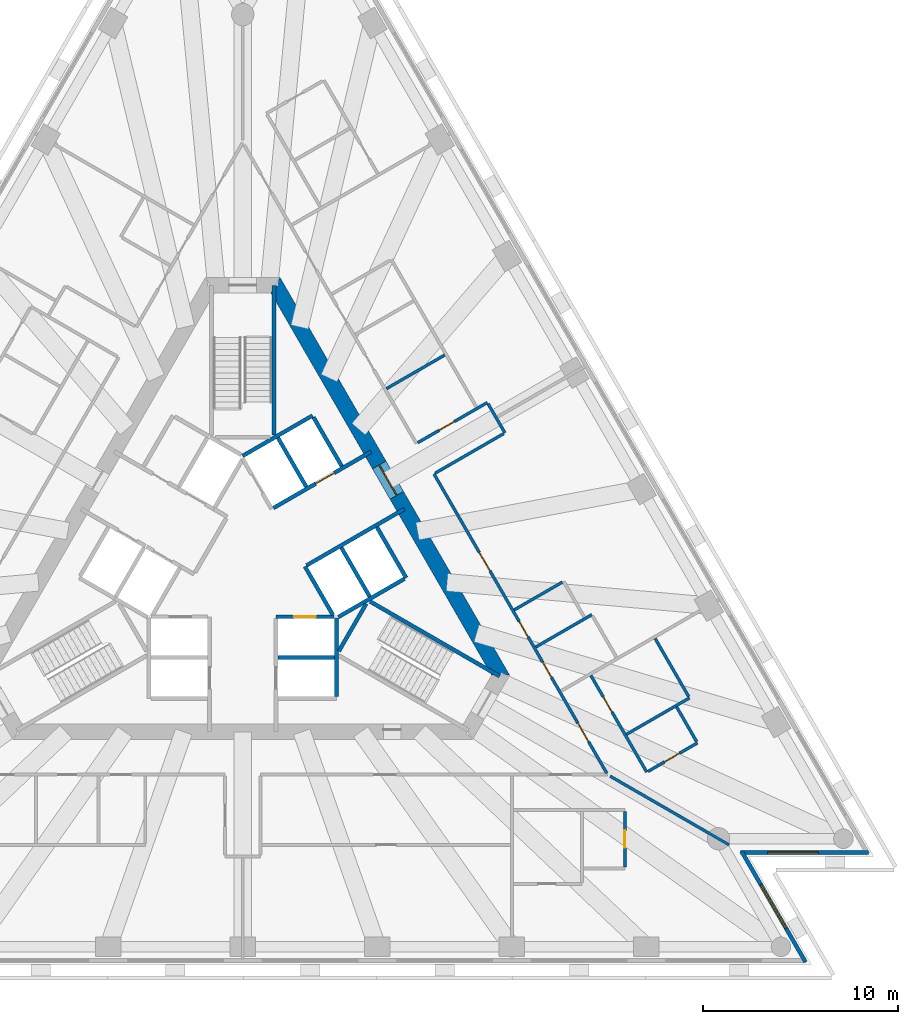
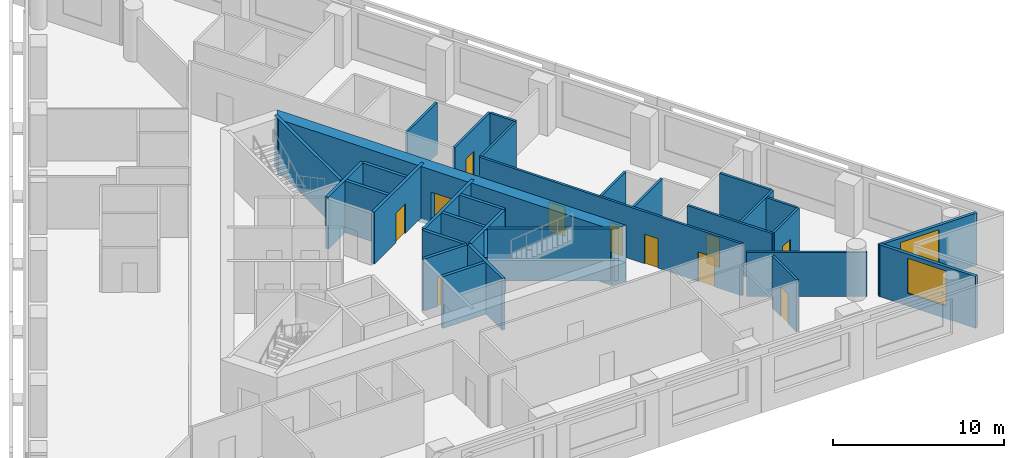
# One storey, part 5 of 10: 32 walls, 11 doors, 2 windows, 13 openings.
"""IFC4 building model written with IfcOpenShell, lengths in metres."""

from ifc_helpers import new_model, si_unit, direction, frame, frame_2d, origin, place, context, subcontext, project, spatial, polyline, rectangle, outline, extrude, material, layer, layer_set, layer_usage, type_object, element, fill, save


model = new_model("IFC4")

# Units and contexts
model_context = context("Model", 3, precision=1e-05, world=origin(), true_north=direction((0.0, 1.0)))
body_context = subcontext(model_context, "Body", "Model", "MODEL_VIEW")
ifc_project = project(units=[si_unit("LENGTHUNIT", "METRE"), si_unit("AREAUNIT", "SQUARE_METRE"), si_unit("VOLUMEUNIT", "CUBIC_METRE"), si_unit("PLANEANGLEUNIT", "RADIAN"), si_unit("MASSUNIT", "GRAM", prefix="KILO")], contexts=[model_context])

# Site, building, storey
site_placement = place(None, origin())
site = spatial("IfcSite", under=ifc_project, at=site_placement, CompositionType="ELEMENT")
building_placement = place(site_placement, origin())
building = spatial("IfcBuilding", under=site, at=building_placement, Name="Triada Interchange Tower", CompositionType="ELEMENT")
storey_placement = place(building_placement, frame((0.0, 0.0, 120.300048828125)))
storey = spatial("IfcBuildingStorey", under=building, at=storey_placement, Name="L27", CompositionType="ELEMENT", Elevation=120.300048828125)

# Wall
ifc_material_1 = material(Name="Concrete C30/37", Category="concrete")
ifc_layer_1 = layer(ifc_material_1, 0.199951171875)
ifc_layer_set_1 = layer_set([ifc_layer_1], Name="CORE WALL 200 EI 120")
wall_type_1 = type_object("IfcWallType", Name="CORE WALL 200 EI 120", PredefinedType="SOLIDWALL", material=ifc_layer_set_1)
wall_1_placement = place(storey_placement, frame((1.800048828125, -4.800048828125, 0.0), z_axis=(0.0, 0.0, 1.0), x_axis=(1.0, 0.0, 0.0)))
element("IfcWall", 1, at=wall_1_placement, inside=storey, type_object=wall_type_1, Name="Wall L26 63", PredefinedType="SOLIDWALL", context=body_context, shape_type="SweptSolid", body=[
    extrude(rectangle(XDim=2.89990234375, YDim=0.199951171875, at=frame_2d((1.449951171875, 0.0))), origin(), (0.0, 0.0, 1.0), 3.699951171875),
])

# Wall, opening, door
wall_2_placement = place(storey_placement, frame((1.702880859375, -2.699951171875, 0.0), z_axis=(0.0, 0.0, 1.0), x_axis=(1.0, 0.0, 0.0)))
wall_2 = element("IfcWall", 2, at=wall_2_placement, inside=storey, type_object=wall_type_1, Name="Wall L26 69", PredefinedType="SOLIDWALL", context=body_context, shape_type="SweptSolid", body=[
    extrude(rectangle(XDim=2.97314453125, YDim=0.199951171875, at=frame_2d((1.486572265625, 0.0))), origin(), (0.0, 0.0, 1.0), 3.699951171875),
])
opening_1_placement = place(wall_2_placement, frame((0.93603515625, 0.0, 0.0)))
opening_1 = element("IfcOpeningElement", 3, at=opening_1_placement, cuts=wall_2, Name="Opening LD-LR1", PredefinedType="OPENING", context=body_context, shape_type="SweptSolid", body=[
    extrude(rectangle(XDim=1.10009765625, YDim=2.10009765625, at=frame_2d((0.550048828125, 1.050048828125))), frame((0.0, 0.10986328125, 0.0), z_axis=(0.0, -1.0, 0.0), x_axis=(1.0, 0.0, 0.0)), (0.0, 0.0, 1.0), 0.219970703125),
])
ifc_material_2 = material(Name="Steel S235 door leaf", Category="steel")
door_type_1 = type_object("IfcDoorType", Name="LIFT LANDING DOOR 1100 EI 120", OperationType="SLIDING_TO_LEFT", PredefinedType="DOOR", material=ifc_material_2)
door_1_placement = place(opening_1_placement, origin())
door_1 = element("IfcDoor", 4, at=door_1_placement, inside=storey, type_object=door_type_1, Name="LR1 landing door L27", OperationType="SLIDING_TO_LEFT", OverallHeight=2.10009765625, OverallWidth=1.10009765625, PredefinedType="DOOR", context=body_context, shape_type="SweptSolid", body=[
    extrude(rectangle(XDim=1.10009765625, YDim=2.10009765625, at=frame_2d((0.550048828125, 1.050048828125))), frame((0.0, 0.02490234375, 0.0), z_axis=(0.0, -1.0, 0.0), x_axis=(1.0, 0.0, 0.0)), (0.0, 0.0, 1.0), 0.050048828125),
])
fill(opening_1, door_1)

# Walls
wall_3_placement = place(storey_placement, frame((-0.001953125, 5.541015625, 0.0), z_axis=(0.0, 0.0, 1.0), x_axis=(0.86600155993, 0.500041296494, 0.0)))
element("IfcWall", 5, at=wall_3_placement, inside=storey, type_object=wall_type_1, Name="Wall L26 70", PredefinedType="SOLIDWALL", context=body_context, shape_type="SweptSolid", body=[
    extrude(rectangle(XDim=4.131591796875, YDim=0.199951171875, at=frame_2d((2.06591796875, 0.0))), origin(), (0.0, 0.0, 1.0), 3.699951171875),
])
wall_4_placement = place(storey_placement, frame((3.18994140625, -0.125, 0.0), z_axis=(0.0, 0.0, 1.0), x_axis=(0.499988658015, -0.866031951983, 0.0)))
element("IfcWall", 6, at=wall_4_placement, inside=storey, type_object=wall_type_1, Name="Wall L26 72", PredefinedType="SOLIDWALL", context=body_context, shape_type="SweptSolid", body=[
    extrude(rectangle(XDim=2.85791015625, YDim=0.199951171875, at=frame_2d((1.428955078125, 0.0))), origin(), (0.0, 0.0, 1.0), 3.699951171875),
])

# Wall, opening, door
wall_5_placement = place(storey_placement, frame((1.576904296875, 2.8740234375, 0.0), z_axis=(0.0, 0.0, 1.0), x_axis=(0.866073694534, 0.499916348638, 0.0)))
wall_5 = element("IfcWall", 7, at=wall_5_placement, inside=storey, type_object=wall_type_1, Name="Wall L26 73", PredefinedType="SOLIDWALL", context=body_context, shape_type="SweptSolid", body=[
    extrude(rectangle(XDim=5.77685546875, YDim=0.199951171875, at=frame_2d((2.888427734375, 0.0))), origin(), (0.0, 0.0, 1.0), 3.699951171875),
])
opening_2_placement = place(wall_5_placement, frame((2.4970703125, 0.0, 0.0)))
opening_2 = element("IfcOpeningElement", 8, at=opening_2_placement, cuts=wall_5, Name="Opening LD-LR6", PredefinedType="OPENING", context=body_context, shape_type="SweptSolid", body=[
    extrude(rectangle(XDim=1.10009765625, YDim=2.10009765625, at=frame_2d((0.550048828125, 1.050048828125))), frame((0.0, 0.10986328125, 0.0), z_axis=(0.0, -1.0, 0.0), x_axis=(1.0, 0.0, 0.0)), (0.0, 0.0, 1.0), 0.219970703125),
])
door_2_placement = place(opening_2_placement, origin())
door_2 = element("IfcDoor", 9, at=door_2_placement, inside=storey, type_object=door_type_1, Name="LR6 landing door L27", OperationType="SLIDING_TO_LEFT", OverallHeight=2.10009765625, OverallWidth=1.10009765625, PredefinedType="DOOR", context=body_context, shape_type="SweptSolid", body=[
    extrude(rectangle(XDim=1.10009765625, YDim=2.10009765625, at=frame_2d((0.550048828125, 1.050048828125))), frame((0.0, 0.02490234375, 0.0), z_axis=(0.0, -1.0, 0.0), x_axis=(1.0, 0.0, 0.0)), (0.0, 0.0, 1.0), 0.050048828125),
])
fill(opening_2, door_2)

# Walls
wall_6_placement = place(storey_placement, frame((4.800048828125, -6.800048828125, 0.0), z_axis=(0.0, 0.0, 1.0), x_axis=(0.0, 1.0, 0.0)))
element("IfcWall", 10, at=wall_6_placement, inside=storey, type_object=wall_type_1, Name="Wall L26 75", PredefinedType="SOLIDWALL", context=body_context, shape_type="SweptSolid", body=[
    extrude(rectangle(XDim=4.029052734375, YDim=0.199951171875, at=frame_2d((2.0146484375, 0.0))), origin(), (0.0, 0.0, 1.0), 3.699951171875),
])
wall_7_placement = place(storey_placement, frame((3.278076171875, -0.071044921875, 0.0), z_axis=(0.0, 0.0, 1.0), x_axis=(0.865929348003, 0.5001663366, 0.0)))
element("IfcWall", 11, at=wall_7_placement, inside=storey, type_object=wall_type_1, Name="Wall L26 76", PredefinedType="SOLIDWALL", context=body_context, shape_type="SweptSolid", body=[
    extrude(rectangle(XDim=5.7763671875, YDim=0.199951171875, at=frame_2d((2.88818359375, 0.0))), origin(), (0.0, 0.0, 1.0), 3.699951171875),
])
wall_8_placement = place(storey_placement, frame((3.6259765625, 7.52001953125, 0.0), z_axis=(0.0, 0.0, 1.0), x_axis=(0.500060147554, -0.865990674793, 0.0)))
element("IfcWall", 12, at=wall_8_placement, inside=storey, type_object=wall_type_1, Name="Wall L26 77", PredefinedType="SOLIDWALL", context=body_context, shape_type="SweptSolid", body=[
    extrude(rectangle(XDim=2.899658203125, YDim=0.199951171875, at=frame_2d((1.44970703125, 0.0))), origin(), (0.0, 0.0, 1.0), 3.699951171875),
])
wall_9_placement = place(storey_placement, frame((6.8759765625, 1.89111328125, 0.0), z_axis=(0.0, 0.0, 1.0), x_axis=(0.499990139034, -0.866031096941, 0.0)))
element("IfcWall", 13, at=wall_9_placement, inside=storey, type_object=wall_type_1, Name="Wall L26 78", PredefinedType="SOLIDWALL", context=body_context, shape_type="SweptSolid", body=[
    extrude(rectangle(XDim=3.0, YDim=0.199951171875, at=frame_2d((1.5, 0.0))), origin(), (0.0, 0.0, 1.0), 3.699951171875),
])
for number, where, z_axis, x_axis, name in (
    (14, (1.806884765625, 6.469970703125, 0.0), (0.0, 0.0, 1.0), (0.50012328804, -0.865954211699, 0.0), "Wall L26 79"),
    (15, (5.056884765625, 0.841064453125, 0.0), (0.0, 0.0, 1.0), (0.50012328804, -0.865954211699, 0.0), "Wall L26 80"),
):
    element("IfcWall", number, at=place(storey_placement, frame(where, z_axis=z_axis, x_axis=x_axis)), inside=storey, type_object=wall_type_1, Name=name, PredefinedType="SOLIDWALL", context=body_context, shape_type="SweptSolid", body=[
        extrude(rectangle(XDim=2.899658203125, YDim=0.199951171875, at=frame_2d((1.44970703125, 0.0))), origin(), (0.0, 0.0, 1.0), 3.699951171875),
    ])
wall_10_placement = place(storey_placement, frame((4.89990234375, -2.714111328125, 0.0), z_axis=(0.0, 0.0, 1.0), x_axis=(0.865992350556, 0.500057245502, 0.0)))
element("IfcWall", 16, at=wall_10_placement, inside=storey, type_object=wall_type_1, Name="Wall L26 81", PredefinedType="SOLIDWALL", context=body_context, shape_type="SweptSolid", body=[
    extrude(rectangle(XDim=3.91357421875, YDim=0.199951171875, at=frame_2d((1.956787109375, 0.0))), origin(), (0.0, 0.0, 1.0), 3.699951171875),
])
ifc_layer_2 = layer(ifc_material_1, 0.199951171875)
ifc_layer_set_2 = layer_set([ifc_layer_2], Name="CORE WALL 200 REI 240")
wall_type_2 = type_object("IfcWallType", Name="CORE WALL 200 REI 240", PredefinedType="SOLIDWALL", material=ifc_layer_set_2)
wall_11_placement = place(storey_placement, frame((1.60009765625, 6.614990234375, 0.0), z_axis=(0.0, 0.0, 1.0), x_axis=(0.0, 1.0, 0.0)))
element("IfcWall", 17, at=wall_11_placement, inside=storey, type_object=wall_type_2, Name="Wall L26 100", PredefinedType="SOLIDWALL", context=body_context, shape_type="SweptSolid", body=[
    extrude(rectangle(XDim=7.6650390625, YDim=0.199951171875, at=frame_2d((3.83251953125, 0.0))), origin(), (0.0, 0.0, 1.0), 3.699951171875),
])
wall_12_placement = place(storey_placement, frame((4.928955078125, -4.4619140625, 0.0), z_axis=(0.0, 0.0, 1.0), x_axis=(0.500200581029, 0.865909567298, 0.0)))
element("IfcWall", 18, at=wall_12_placement, inside=storey, type_object=wall_type_2, Name="Wall L26 104", PredefinedType="SOLIDWALL", context=body_context, shape_type="SweptSolid", body=[
    extrude(rectangle(XDim=2.799072265625, YDim=0.199951171875, at=frame_2d((1.3994140625, 0.0))), origin(), (0.0, 0.0, 1.0), 3.699951171875),
])
wall_13_placement = place(storey_placement, frame((6.529052734375, -1.922119140625, 0.0), z_axis=(0.0, 0.0, 1.0), x_axis=(0.866060938598, -0.499938446846, 0.0)))
element("IfcWall", 19, at=wall_13_placement, inside=storey, type_object=wall_type_2, Name="Wall L26 105", PredefinedType="SOLIDWALL", context=body_context, shape_type="SweptSolid", body=[
    extrude(rectangle(XDim=7.66455078125, YDim=0.199951171875, at=frame_2d((3.832275390625, 0.0))), origin(), (0.0, 0.0, 1.0), 3.699951171875),
])

# Wall, opening, door
ifc_material_3 = material(Name="Concrete C60/75", Category="concrete")
ifc_layer_3 = layer(ifc_material_3, 0.800048828125)
ifc_layer_set_3 = layer_set([ifc_layer_3], Name="Core wall B 800")
wall_type_3 = type_object("IfcWallType", Name="Core wall B 800", PredefinedType="SHEAR", material=ifc_layer_set_3)
wall_14_placement = place(storey_placement, frame((13.220947265625, -5.699951171875, -0.300048828125), z_axis=(0.0, 0.0, 1.0), x_axis=(-0.499995765644, 0.866027848477, 0.0)))
wall_14 = element("IfcWall", 20, at=wall_14_placement, inside=storey, type_object=wall_type_3, Name="Core wall WB06 L27", PredefinedType="SHEAR", context=body_context, shape_type="SweptSolid", body=[
    extrude(outline(polyline([(-0.23095703125, -0.39990234375), (1.73193359375, -0.39990234375), (3.695068359375, -0.39990234375), (5.657958984375, -0.39990234375), (7.62109375, -0.39990234375), (9.583984375, -0.39990234375), (11.546875, -0.39990234375), (13.510009765625, -0.39990234375), (15.472900390625, -0.39990234375), (17.43603515625, -0.39990234375), (19.39892578125, -0.39990234375), (21.362060546875, -0.39990234375), (23.324951171875, -0.39990234375), (22.863037109375, 0.39990234375), (20.97705078125, 0.39990234375), (19.091064453125, 0.39990234375), (17.205078125, 0.39990234375), (15.319091796875, 0.39990234375), (13.43310546875, 0.39990234375), (11.546875, 0.39990234375), (9.660888671875, 0.39990234375), (7.77490234375, 0.39990234375), (5.888916015625, 0.39990234375), (4.0029296875, 0.39990234375), (2.116943359375, 0.39990234375), (0.23095703125, 0.39990234375), (-0.23095703125, -0.39990234375)])), origin(), (0.0, 0.0, 1.0), 4.0),
])
opening_3_placement = place(wall_14_placement, frame((10.64697265625, 0.0, 0.300048828125)))
opening_3 = element("IfcOpeningElement", 21, at=opening_3_placement, cuts=wall_14, Name="Opening D26-40", PredefinedType="OPENING", context=body_context, shape_type="SweptSolid", body=[
    extrude(rectangle(XDim=1.800048828125, YDim=2.10009765625, at=frame_2d((0.89990234375, 1.050048828125))), frame((0.0, 0.409912109375, 0.0), z_axis=(0.0, -1.0, 0.0), x_axis=(1.0, 0.0, 0.0)), (0.0, 0.0, 1.0), 0.820068359375),
])
door_type_2 = type_object("IfcDoorType", Name="LOBBY DOOR 1800 EI2 90-C5S200", OperationType="DOUBLE_DOOR_SINGLE_SWING", PredefinedType="DOOR", material=ifc_material_2)
door_3_placement = place(opening_3_placement, origin())
door_3 = element("IfcDoor", 22, at=door_3_placement, inside=storey, type_object=door_type_2, Name="Door D26-40 L27", OperationType="DOUBLE_DOOR_SINGLE_SWING", OverallHeight=2.10009765625, OverallWidth=1.800048828125, PredefinedType="DOOR", context=body_context, shape_type="SweptSolid", body=[
    extrude(rectangle(XDim=1.800048828125, YDim=2.10009765625, at=frame_2d((0.89990234375, 1.050048828125))), frame((0.0, 0.02490234375, 0.0), z_axis=(0.0, -1.0, 0.0), x_axis=(1.0, 0.0, 0.0)), (0.0, 0.0, 1.0), 0.050048828125),
])
fill(opening_3, door_3)

# Wall, opening, window
ifc_material_4 = material(Name="Cement board")
ifc_layer_4 = layer(ifc_material_4, 0.02001953125, Name="Cement board cladding")
ifc_material_5 = material(Name="Sheathing board")
ifc_layer_5 = layer(ifc_material_5, 0.014892578125, Name="Sheathing board")
ifc_material_6 = material(Name="Mineral wool")
ifc_layer_6 = layer(ifc_material_6, 0.14990234375, Name="Mineral wool between steel studs")
ifc_material_7 = material(Name="Gypsum board")
ifc_layer_7 = layer(ifc_material_7, 0.014892578125, Name="Plasterboard lining")
ifc_layer_set_4 = layer_set([ifc_layer_4, ifc_layer_5, ifc_layer_6, ifc_layer_7], Name="External wall 200")
ifc_layer_usage = layer_usage(ifc_layer_set_4, "AXIS2", "POSITIVE", -0.10009765625)
wall_type_4 = type_object("IfcWallType", Name="External wall 200", PredefinedType="ELEMENTEDWALL", material=ifc_layer_set_4)
wall_15_placement = place(storey_placement, frame((28.84912109375, -20.402099609375, 0.0), z_axis=(0.0, 0.0, 1.0), x_axis=(-0.500066121085, 0.865987225393, 0.0)))
wall_15 = element("IfcWall", 23, at=wall_15_placement, inside=storey, type_object=wall_type_4, material=ifc_layer_usage, Name="External wall L27 SE-1", PredefinedType="ELEMENTEDWALL", context=body_context, shape_type="SweptSolid", body=[
    extrude(rectangle(XDim=6.55908203125, YDim=0.199951171875, at=frame_2d((3.279541015625, 0.0))), origin(), (0.0, 0.0, 1.0), 3.699951171875),
])
opening_4_placement = place(wall_15_placement, frame((1.989990234375, 0.0, 0.89990234375)))
opening_4 = element("IfcOpeningElement", 24, at=opening_4_placement, cuts=wall_15, Name="Opening WB19", PredefinedType="OPENING", context=body_context, shape_type="SweptSolid", body=[
    extrude(rectangle(XDim=2.60009765625, YDim=2.5, at=frame_2d((1.300048828125, 1.25))), frame((0.0, 0.10986328125, 0.0), z_axis=(0.0, -1.0, 0.0), x_axis=(1.0, 0.0, 0.0)), (0.0, 0.0, 1.0), 0.219970703125),
])
ifc_material_8 = material(Name="Double glazed aluminium window", Category="aluminium")
window_type = type_object("IfcWindowType", Name="Ribbon window B pocket", PartitioningType="SINGLE_PANEL", PredefinedType="WINDOW", material=ifc_material_8)
window_1_placement = place(opening_4_placement, origin())
window_1 = element("IfcWindow", 25, at=window_1_placement, inside=storey, type_object=window_type, Name="Window L27 SE-1 1", OverallHeight=2.5, OverallWidth=2.60009765625, PartitioningType="SINGLE_PANEL", PredefinedType="WINDOW", context=body_context, shape_type="SweptSolid", body=[
    extrude(rectangle(XDim=2.60009765625, YDim=2.5, at=frame_2d((1.300048828125, 1.25))), frame((0.0, 0.030029296875, 0.0), z_axis=(0.0, -1.0, 0.0), x_axis=(1.0, 0.0, 0.0)), (0.0, 0.0, 1.0), 0.06005859375),
])
fill(opening_4, window_1)

wall_16_placement = place(storey_placement, frame((25.513916015625, -14.782958984375, 0.0), z_axis=(0.0, 0.0, 1.0), x_axis=(1.0, 0.0, 0.0)))
wall_16 = element("IfcWall", 26, at=wall_16_placement, inside=storey, type_object=wall_type_4, material=ifc_layer_usage, Name="External wall L27 SE-2", PredefinedType="ELEMENTEDWALL", context=body_context, shape_type="SweptSolid", body=[
    extrude(rectangle(XDim=6.55908203125, YDim=0.199951171875, at=frame_2d((3.279541015625, 0.0))), origin(), (0.0, 0.0, 1.0), 3.699951171875),
])
opening_5_placement = place(wall_16_placement, frame((1.389892578125, 0.0, 0.89990234375)))
opening_5 = element("IfcOpeningElement", 27, at=opening_5_placement, cuts=wall_16, Name="Opening WB20", PredefinedType="OPENING", context=body_context, shape_type="SweptSolid", body=[
    extrude(rectangle(XDim=2.60009765625, YDim=2.5, at=frame_2d((1.300048828125, 1.25))), frame((0.0, 0.10986328125, 0.0), z_axis=(0.0, -1.0, 0.0), x_axis=(1.0, 0.0, 0.0)), (0.0, 0.0, 1.0), 0.219970703125),
])
window_2_placement = place(opening_5_placement, origin())
window_2 = element("IfcWindow", 28, at=window_2_placement, inside=storey, type_object=window_type, Name="Window L27 SE-2 1", OverallHeight=2.5, OverallWidth=2.60009765625, PartitioningType="SINGLE_PANEL", PredefinedType="WINDOW", context=body_context, shape_type="SweptSolid", body=[
    extrude(rectangle(XDim=2.60009765625, YDim=2.5, at=frame_2d((1.300048828125, 1.25))), frame((0.0, 0.030029296875, 0.0), z_axis=(0.0, -1.0, 0.0), x_axis=(1.0, 0.0, 0.0)), (0.0, 0.0, 1.0), 0.06005859375),
])
fill(opening_5, window_2)

# Wall, openings, doors
ifc_material_9 = material(Name="Gypsum board partition")
ifc_layer_8 = layer(ifc_material_9, 0.14990234375)
ifc_layer_set_5 = layer_set([ifc_layer_8], Name="PARTITION 150 EI 180")
wall_type_5 = type_object("IfcWallType", Name="PARTITION 150 EI 180", PredefinedType="PARTITIONING", material=ifc_layer_set_5)
wall_17_placement = place(storey_placement, frame((9.802978515625, 4.6201171875, 0.0), z_axis=(0.0, 0.0, 1.0), x_axis=(0.500023004316, -0.866012121829, 0.0)))
wall_17 = element("IfcWall", 29, at=wall_17_placement, inside=storey, type_object=wall_type_5, Name="Wall L26 25", PredefinedType="PARTITIONING", context=body_context, shape_type="SweptSolid", body=[
    extrude(rectangle(XDim=17.719482421875, YDim=0.14990234375, at=frame_2d((8.85986328125, 0.0))), origin(), (0.0, 0.0, 1.0), 3.699951171875),
])
opening_6_placement = place(wall_17_placement, frame((14.756103515625, 0.0, 0.0)))
opening_6 = element("IfcOpeningElement", 30, at=opening_6_placement, cuts=wall_17, Name="Opening D26-21", PredefinedType="OPENING", context=body_context, shape_type="SweptSolid", body=[
    extrude(rectangle(XDim=1.10009765625, YDim=2.10009765625, at=frame_2d((0.550048828125, 1.050048828125))), frame((0.0, 0.0849609375, 0.0), z_axis=(0.0, -1.0, 0.0), x_axis=(1.0, 0.0, 0.0)), (0.0, 0.0, 1.0), 0.169921875),
])
opening_7_placement = place(wall_17_placement, frame((4.64501953125, 0.0, 0.0)))
opening_7 = element("IfcOpeningElement", 31, at=opening_7_placement, cuts=wall_17, Name="Opening D26-24", PredefinedType="OPENING", context=body_context, shape_type="SweptSolid", body=[
    extrude(rectangle(XDim=1.10009765625, YDim=2.10009765625, at=frame_2d((0.550048828125, 1.050048828125))), frame((0.0, 0.0849609375, 0.0), z_axis=(0.0, -1.0, 0.0), x_axis=(1.0, 0.0, 0.0)), (0.0, 0.0, 1.0), 0.169921875),
])
opening_8_placement = place(wall_17_placement, frame((11.14501953125, 0.0, 0.0)))
opening_8 = element("IfcOpeningElement", 32, at=opening_8_placement, cuts=wall_17, Name="Opening D26-25", PredefinedType="OPENING", context=body_context, shape_type="SweptSolid", body=[
    extrude(rectangle(XDim=0.89990234375, YDim=2.10009765625, at=frame_2d((0.449951171875, 1.050048828125))), frame((0.0, 0.0849609375, 0.0), z_axis=(0.0, -1.0, 0.0), x_axis=(1.0, 0.0, 0.0)), (0.0, 0.0, 1.0), 0.169921875),
])
opening_9_placement = place(wall_17_placement, frame((8.7451171875, 0.0, 0.0)))
opening_9 = element("IfcOpeningElement", 33, at=opening_9_placement, cuts=wall_17, Name="Opening D26-26", PredefinedType="OPENING", context=body_context, shape_type="SweptSolid", body=[
    extrude(rectangle(XDim=0.89990234375, YDim=2.10009765625, at=frame_2d((0.449951171875, 1.050048828125))), frame((0.0, 0.0849609375, 0.0), z_axis=(0.0, -1.0, 0.0), x_axis=(1.0, 0.0, 0.0)), (0.0, 0.0, 1.0), 0.169921875),
])
door_type_3 = type_object("IfcDoorType", Name="ROOM DOOR 900 EI2 90-C5S200", OperationType="NOTDEFINED", PredefinedType="DOOR", material=ifc_material_2)
door_4_placement = place(opening_8_placement, origin())
door_4 = element("IfcDoor", 34, at=door_4_placement, inside=storey, type_object=door_type_3, Name="Door D26-25 L27", OperationType="SINGLE_SWING_LEFT", OverallHeight=2.10009765625, OverallWidth=0.89990234375, PredefinedType="DOOR", context=body_context, shape_type="SweptSolid", body=[
    extrude(rectangle(XDim=0.89990234375, YDim=2.10009765625, at=frame_2d((0.449951171875, 1.050048828125))), frame((0.0, 0.02490234375, 0.0), z_axis=(0.0, -1.0, 0.0), x_axis=(1.0, 0.0, 0.0)), (0.0, 0.0, 1.0), 0.050048828125),
])
fill(opening_8, door_4)
door_type_4 = type_object("IfcDoorType", Name="SERVICE DOOR 900 EI2 90-C5S200", OperationType="NOTDEFINED", PredefinedType="DOOR", material=ifc_material_2)
door_5_placement = place(opening_9_placement, origin())
door_5 = element("IfcDoor", 35, at=door_5_placement, inside=storey, type_object=door_type_4, Name="Door D26-26 L27", OperationType="SINGLE_SWING_LEFT", OverallHeight=2.10009765625, OverallWidth=0.89990234375, PredefinedType="DOOR", context=body_context, shape_type="SweptSolid", body=[
    extrude(rectangle(XDim=0.89990234375, YDim=2.10009765625, at=frame_2d((0.449951171875, 1.050048828125))), frame((0.0, 0.02490234375, 0.0), z_axis=(0.0, -1.0, 0.0), x_axis=(1.0, 0.0, 0.0)), (0.0, 0.0, 1.0), 0.050048828125),
])
fill(opening_9, door_5)
door_type_5 = type_object("IfcDoorType", Name="TENANCY ENTRANCE DOOR 1100 EI2 90-C5S200", OperationType="NOTDEFINED", PredefinedType="DOOR", material=ifc_material_2)
door_6_placement = place(opening_6_placement, origin())
door_6 = element("IfcDoor", 36, at=door_6_placement, inside=storey, type_object=door_type_5, Name="Door D26-21 L27", OperationType="SINGLE_SWING_RIGHT", OverallHeight=2.10009765625, OverallWidth=1.10009765625, PredefinedType="DOOR", context=body_context, shape_type="SweptSolid", body=[
    extrude(rectangle(XDim=1.10009765625, YDim=2.10009765625, at=frame_2d((0.550048828125, 1.050048828125))), frame((0.0, 0.02490234375, 0.0), z_axis=(0.0, -1.0, 0.0), x_axis=(1.0, 0.0, 0.0)), (0.0, 0.0, 1.0), 0.050048828125),
])
fill(opening_6, door_6)
door_7_placement = place(opening_7_placement, origin())
door_7 = element("IfcDoor", 37, at=door_7_placement, inside=storey, type_object=door_type_5, Name="Door D26-24 L27", OperationType="SINGLE_SWING_LEFT", OverallHeight=2.10009765625, OverallWidth=1.10009765625, PredefinedType="DOOR", context=body_context, shape_type="SweptSolid", body=[
    extrude(rectangle(XDim=1.10009765625, YDim=2.10009765625, at=frame_2d((0.550048828125, 1.050048828125))), frame((0.0, 0.02490234375, 0.0), z_axis=(0.0, -1.0, 0.0), x_axis=(1.0, 0.0, 0.0)), (0.0, 0.0, 1.0), 0.050048828125),
])
fill(opening_7, door_7)

# Wall
wall_18_placement = place(storey_placement, frame((7.367919921875, 8.989013671875, 0.0), z_axis=(0.0, 0.0, 1.0), x_axis=(0.866031223622, 0.49998991961, 0.0)))
element("IfcWall", 38, at=wall_18_placement, inside=storey, type_object=wall_type_5, Name="Wall L26 30", PredefinedType="PARTITIONING", context=body_context, shape_type="SweptSolid", body=[
    extrude(rectangle(XDim=3.4501953125, YDim=0.14990234375, at=frame_2d((1.72509765625, 0.0))), origin(), (0.0, 0.0, 1.0), 3.699951171875),
])

# Wall, opening, door
wall_19_placement = place(storey_placement, frame((8.968994140625, 6.218017578125, 0.0), z_axis=(0.0, 0.0, 1.0), x_axis=(0.865997263264, 0.500048737644, 0.0)))
wall_19 = element("IfcWall", 39, at=wall_19_placement, inside=storey, type_object=wall_type_5, Name="Wall L26 31", PredefinedType="PARTITIONING", context=body_context, shape_type="SweptSolid", body=[
    extrude(rectangle(XDim=4.12353515625, YDim=0.14990234375, at=frame_2d((2.061767578125, 0.0))), origin(), (0.0, 0.0, 1.0), 3.699951171875),
])
opening_10_placement = place(wall_19_placement, frame((1.27392578125, 0.0, 0.0)))
opening_10 = element("IfcOpeningElement", 40, at=opening_10_placement, cuts=wall_19, Name="Opening D26-28", PredefinedType="OPENING", context=body_context, shape_type="SweptSolid", body=[
    extrude(rectangle(XDim=0.89990234375, YDim=2.10009765625, at=frame_2d((0.449951171875, 1.050048828125))), frame((0.0, 0.0849609375, 0.0), z_axis=(0.0, -1.0, 0.0), x_axis=(1.0, 0.0, 0.0)), (0.0, 0.0, 1.0), 0.169921875),
])
door_8_placement = place(opening_10_placement, origin())
door_8 = element("IfcDoor", 41, at=door_8_placement, inside=storey, type_object=door_type_3, Name="Door D26-28 L27", OperationType="SINGLE_SWING_LEFT", OverallHeight=2.10009765625, OverallWidth=0.89990234375, PredefinedType="DOOR", context=body_context, shape_type="SweptSolid", body=[
    extrude(rectangle(XDim=0.89990234375, YDim=2.10009765625, at=frame_2d((0.449951171875, 1.050048828125))), frame((0.0, 0.02490234375, 0.0), z_axis=(0.0, -1.0, 0.0), x_axis=(1.0, 0.0, 0.0)), (0.0, 0.0, 1.0), 0.050048828125),
])
fill(opening_10, door_8)

# Walls
wall_20_placement = place(storey_placement, frame((12.577880859375, 8.215087890625, 0.0), z_axis=(0.0, 0.0, 1.0), x_axis=(0.499746958151, -0.866171448282, 0.0)))
element("IfcWall", 42, at=wall_20_placement, inside=storey, type_object=wall_type_5, Name="Wall L26 32", PredefinedType="PARTITIONING", context=body_context, shape_type="SweptSolid", body=[
    extrude(rectangle(XDim=1.72509765625, YDim=0.14990234375, at=frame_2d((0.862548828125, 0.0))), origin(), (0.0, 0.0, 1.0), 3.699951171875),
])
wall_21_placement = place(storey_placement, frame((9.868896484375, 4.658935546875, 0.0), z_axis=(0.0, 0.0, 1.0), x_axis=(0.866033948129, 0.499985200469, 0.0)))
element("IfcWall", 43, at=wall_21_placement, inside=storey, type_object=wall_type_5, Name="Wall L26 33", PredefinedType="PARTITIONING", context=body_context, shape_type="SweptSolid", body=[
    extrude(rectangle(XDim=4.04833984375, YDim=0.14990234375, at=frame_2d((2.024169921875, 0.0))), origin(), (0.0, 0.0, 1.0), 3.699951171875),
])
wall_22_placement = place(storey_placement, frame((13.916015625, -2.35302734375, 0.0), z_axis=(0.0, 0.0, 1.0), x_axis=(0.866004402611, 0.500036373335, 0.0)))
element("IfcWall", 44, at=wall_22_placement, inside=storey, type_object=wall_type_5, Name="Wall L26 36", PredefinedType="PARTITIONING", context=body_context, shape_type="SweptSolid", body=[
    extrude(rectangle(XDim=2.849853515625, YDim=0.14990234375, at=frame_2d((1.4248046875, 0.0))), origin(), (0.0, 0.0, 1.0), 3.699951171875),
])
wall_23_placement = place(storey_placement, frame((15.01611328125, -4.258056640625, 0.0), z_axis=(0.0, 0.0, 1.0), x_axis=(0.866029041019, 0.499993700073, 0.0)))
element("IfcWall", 45, at=wall_23_placement, inside=storey, type_object=wall_type_5, Name="Wall L26 37", PredefinedType="PARTITIONING", context=body_context, shape_type="SweptSolid", body=[
    extrude(rectangle(XDim=3.32421875, YDim=0.14990234375, at=frame_2d((1.662109375, 0.0))), origin(), (0.0, 0.0, 1.0), 3.699951171875),
])
wall_24_placement = place(storey_placement, frame((18.8349609375, -10.875, 0.0), z_axis=(0.0, 0.0, 1.0), x_axis=(0.866009336022, -0.500027829149, 0.0)))
element("IfcWall", 46, at=wall_24_placement, inside=storey, type_object=wall_type_5, Name="Wall L26 40", PredefinedType="PARTITIONING", context=body_context, shape_type="SweptSolid", body=[
    extrude(rectangle(XDim=7.03564453125, YDim=0.14990234375, at=frame_2d((3.517822265625, 0.0))), origin(), (0.0, 0.0, 1.0), 3.14990234375),
])

# Wall, opening, door
ifc_layer_9 = layer(ifc_material_9, 0.14990234375)
ifc_layer_set_6 = layer_set([ifc_layer_9], Name="PARTITION 150 EI 90")
wall_type_6 = type_object("IfcWallType", Name="PARTITION 150 EI 90", PredefinedType="PARTITIONING", material=ifc_layer_set_6)
wall_25_placement = place(storey_placement, frame((17.846923828125, -5.7119140625, 0.0), z_axis=(0.0, 0.0, 1.0), x_axis=(0.500069422629, -0.865985318901, 0.0)))
wall_25 = element("IfcWall", 47, at=wall_25_placement, inside=storey, type_object=wall_type_6, Name="Wall L26 50", PredefinedType="PARTITIONING", context=body_context, shape_type="SweptSolid", body=[
    extrude(rectangle(XDim=5.725341796875, YDim=0.14990234375, at=frame_2d((2.86279296875, 0.0))), origin(), (0.0, 0.0, 1.0), 3.699951171875),
])
opening_11_placement = place(wall_25_placement, frame((1.27587890625, 0.0, 0.0)))
opening_11 = element("IfcOpeningElement", 48, at=opening_11_placement, cuts=wall_25, Name="Opening D26-22", PredefinedType="OPENING", context=body_context, shape_type="SweptSolid", body=[
    extrude(rectangle(XDim=0.89990234375, YDim=2.10009765625, at=frame_2d((0.449951171875, 1.050048828125))), frame((0.0, 0.0849609375, 0.0), z_axis=(0.0, -1.0, 0.0), x_axis=(1.0, 0.0, 0.0)), (0.0, 0.0, 1.0), 0.169921875),
])
door_type_6 = type_object("IfcDoorType", Name="ROOM DOOR 900 EI2 45-C5S200", OperationType="NOTDEFINED", PredefinedType="DOOR", material=ifc_material_2)
door_9_placement = place(opening_11_placement, origin())
door_9 = element("IfcDoor", 49, at=door_9_placement, inside=storey, type_object=door_type_6, Name="Door D26-22 L27", OperationType="SINGLE_SWING_LEFT", OverallHeight=2.10009765625, OverallWidth=0.89990234375, PredefinedType="DOOR", context=body_context, shape_type="SweptSolid", body=[
    extrude(rectangle(XDim=0.89990234375, YDim=2.10009765625, at=frame_2d((0.449951171875, 1.050048828125))), frame((0.0, 0.02490234375, 0.0), z_axis=(0.0, -1.0, 0.0), x_axis=(1.0, 0.0, 0.0)), (0.0, 0.0, 1.0), 0.050048828125),
])
fill(opening_11, door_9)

wall_26_placement = place(storey_placement, frame((19.594970703125, -15.52490234375, 0.0), z_axis=(0.0, 0.0, 1.0), x_axis=(0.0, 1.0, 0.0)))
wall_26 = element("IfcWall", 50, at=wall_26_placement, inside=storey, type_object=wall_type_6, Name="Wall L26 55", PredefinedType="PARTITIONING", context=body_context, shape_type="SweptSolid", body=[
    extrude(rectangle(XDim=2.849853515625, YDim=0.14990234375, at=frame_2d((1.4248046875, 0.0))), origin(), (0.0, 0.0, 1.0), 3.699951171875),
])
opening_12_placement = place(wall_26_placement, frame((0.97509765625, 0.0, 0.0)))
opening_12 = element("IfcOpeningElement", 51, at=opening_12_placement, cuts=wall_26, Name="Opening D26-20", PredefinedType="OPENING", context=body_context, shape_type="SweptSolid", body=[
    extrude(rectangle(XDim=0.89990234375, YDim=2.10009765625, at=frame_2d((0.449951171875, 1.050048828125))), frame((0.0, 0.0849609375, 0.0), z_axis=(0.0, -1.0, 0.0), x_axis=(1.0, 0.0, 0.0)), (0.0, 0.0, 1.0), 0.169921875),
])
door_type_7 = type_object("IfcDoorType", Name="SERVICE DOOR 900 EI2 45-C5S200", OperationType="NOTDEFINED", PredefinedType="DOOR", material=ifc_material_2)
door_10_placement = place(opening_12_placement, origin())
door_10 = element("IfcDoor", 52, at=door_10_placement, inside=storey, type_object=door_type_7, Name="Door D26-20 L27", OperationType="SINGLE_SWING_RIGHT", OverallHeight=2.10009765625, OverallWidth=0.89990234375, PredefinedType="DOOR", context=body_context, shape_type="SweptSolid", body=[
    extrude(rectangle(XDim=0.89990234375, YDim=2.10009765625, at=frame_2d((0.449951171875, 1.050048828125))), frame((0.0, 0.02490234375, 0.0), z_axis=(0.0, -1.0, 0.0), x_axis=(1.0, 0.0, 0.0)), (0.0, 0.0, 1.0), 0.050048828125),
])
fill(opening_12, door_10)

# Walls
wall_27_placement = place(storey_placement, frame((19.675048828125, -8.72802734375, 0.0), z_axis=(0.0, 0.0, 1.0), x_axis=(0.865955274182, 0.500121448367, 0.0)))
element("IfcWall", 53, at=wall_27_placement, inside=storey, type_object=wall_type_6, Name="Wall L26 56", PredefinedType="PARTITIONING", context=body_context, shape_type="SweptSolid", body=[
    extrude(rectangle(XDim=3.72509765625, YDim=0.14990234375, at=frame_2d((1.862548828125, 0.0))), origin(), (0.0, 0.0, 1.0), 3.699951171875),
])
wall_28_placement = place(storey_placement, frame((21.137939453125, -3.81201171875, 0.0), z_axis=(0.0, 0.0, 1.0), x_axis=(0.49998991961, -0.866031223622, 0.0)))
element("IfcWall", 54, at=wall_28_placement, inside=storey, type_object=wall_type_6, Name="Wall L26 57", PredefinedType="PARTITIONING", context=body_context, shape_type="SweptSolid", body=[
    extrude(rectangle(XDim=3.4501953125, YDim=0.14990234375, at=frame_2d((1.72509765625, 0.0))), origin(), (0.0, 0.0, 1.0), 3.699951171875),
])

# Wall, opening, door
wall_29_placement = place(storey_placement, frame((20.77490234375, -10.633056640625, 0.0), z_axis=(0.0, 0.0, 1.0), x_axis=(0.865938168999, 0.50015106465, 0.0)))
wall_29 = element("IfcWall", 55, at=wall_29_placement, inside=storey, type_object=wall_type_6, Name="Wall L26 58", PredefinedType="PARTITIONING", context=body_context, shape_type="SweptSolid", body=[
    extrude(rectangle(XDim=2.92529296875, YDim=0.14990234375, at=frame_2d((1.462646484375, 0.0))), origin(), (0.0, 0.0, 1.0), 3.699951171875),
])
opening_13_placement = place(wall_29_placement, frame((0.97509765625, 0.0, 0.0)))
opening_13 = element("IfcOpeningElement", 56, at=opening_13_placement, cuts=wall_29, Name="Opening D26-23", PredefinedType="OPENING", context=body_context, shape_type="SweptSolid", body=[
    extrude(rectangle(XDim=0.89990234375, YDim=2.10009765625, at=frame_2d((0.449951171875, 1.050048828125))), frame((0.0, 0.0849609375, 0.0), z_axis=(0.0, -1.0, 0.0), x_axis=(1.0, 0.0, 0.0)), (0.0, 0.0, 1.0), 0.169921875),
])
door_11_placement = place(opening_13_placement, origin())
door_11 = element("IfcDoor", 57, at=door_11_placement, inside=storey, type_object=door_type_7, Name="Door D26-23 L27", OperationType="SINGLE_SWING_LEFT", OverallHeight=2.10009765625, OverallWidth=0.89990234375, PredefinedType="DOOR", context=body_context, shape_type="SweptSolid", body=[
    extrude(rectangle(XDim=0.89990234375, YDim=2.10009765625, at=frame_2d((0.449951171875, 1.050048828125))), frame((0.0, 0.02490234375, 0.0), z_axis=(0.0, -1.0, 0.0), x_axis=(1.0, 0.0, 0.0)), (0.0, 0.0, 1.0), 0.050048828125),
])
fill(opening_13, door_11)

# Wall
wall_30_placement = place(storey_placement, frame((22.2451171875, -7.330078125, 0.0), z_axis=(0.0, 0.0, 1.0), x_axis=(0.499853014394, -0.866110249334, 0.0)))
element("IfcWall", 58, at=wall_30_placement, inside=storey, type_object=wall_type_6, Name="Wall L26 59", PredefinedType="PARTITIONING", context=body_context, shape_type="SweptSolid", body=[
    extrude(rectangle(XDim=2.05029296875, YDim=0.14990234375, at=frame_2d((1.025146484375, 0.0))), origin(), (0.0, 0.0, 1.0), 3.699951171875),
])

save(model, "model.ifc")
